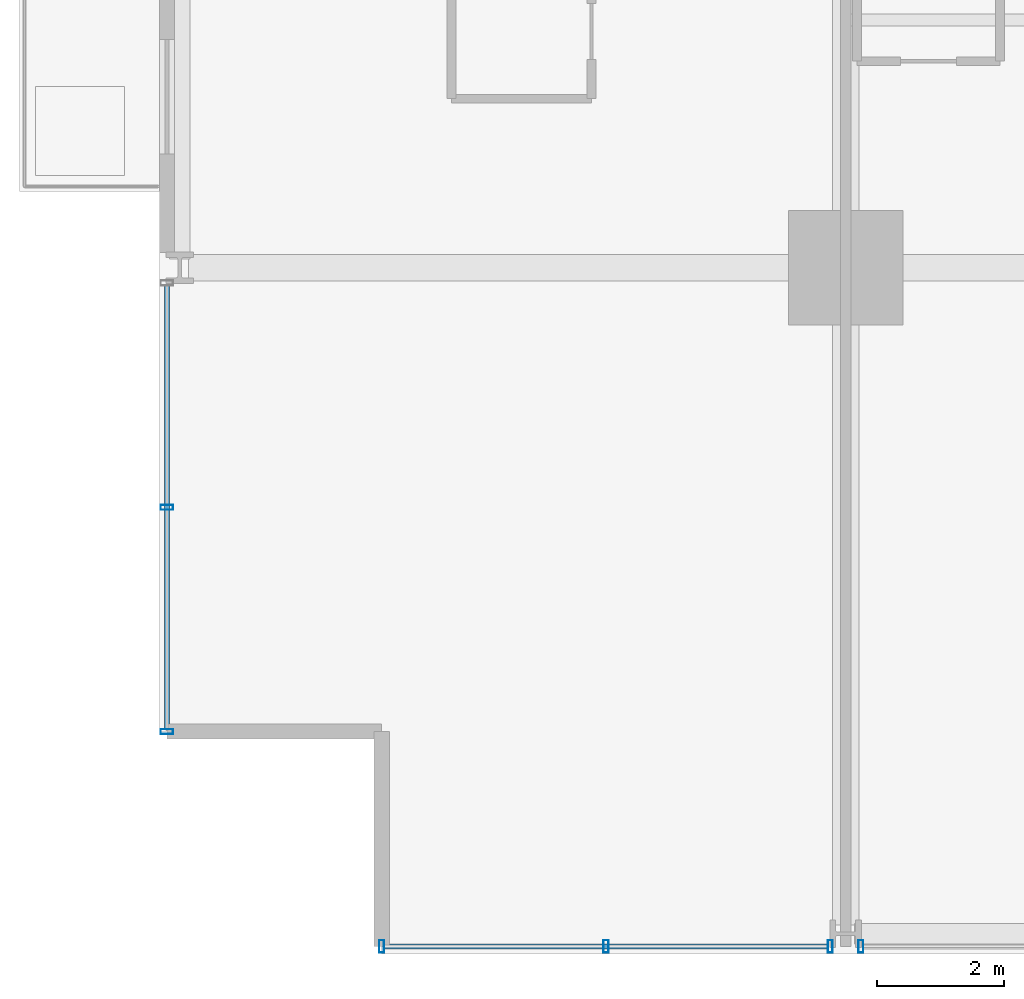
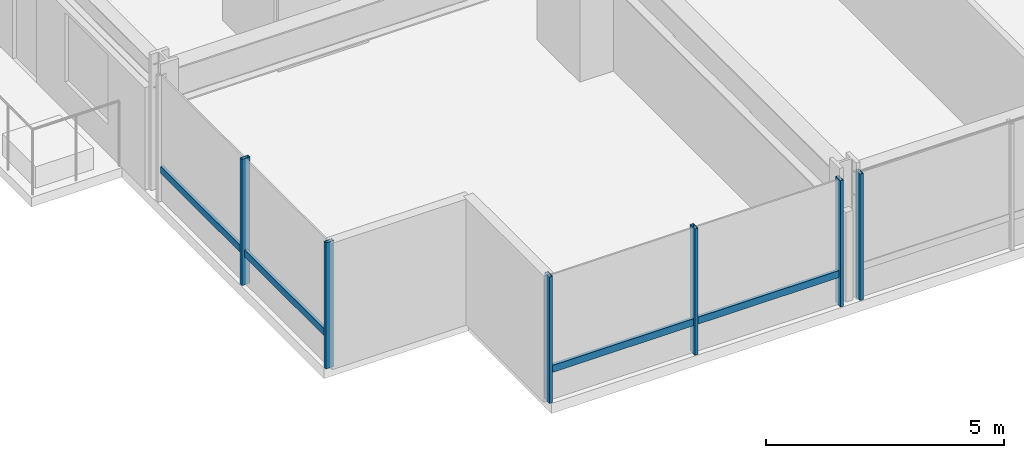
# One storey, part 2 of 38: 8 members, 3 elements without a shape of their own.
"""IFC4 building model written with IfcOpenShell, lengths in metres."""

from ifc_helpers import new_model, si_unit, direction, frame, origin, origin_2d, place, context, subcontext, project, spatial, hollow_rectangle, extrude, material, layer, layer_set, material_profile, profile_set, type_object, element, aggregate, save


model = new_model("IFC4")

# Units and contexts
model_context = context("Model", 3, precision=1e-05, world=origin(), true_north=direction((0.0, 1.0)))
body_context = subcontext(model_context, "Body", "Model", "MODEL_VIEW")
ifc_project = project(units=[si_unit("LENGTHUNIT", "METRE"), si_unit("AREAUNIT", "SQUARE_METRE"), si_unit("VOLUMEUNIT", "CUBIC_METRE"), si_unit("PLANEANGLEUNIT", "RADIAN"), si_unit("MASSUNIT", "GRAM", prefix="KILO")], contexts=[model_context])

# Site, building, storey
site_placement = place(None, origin())
site = spatial("IfcSite", under=ifc_project, at=site_placement, CompositionType="ELEMENT")
building_placement = place(site_placement, origin())
building = spatial("IfcBuilding", under=site, at=building_placement, Name="Drelvath Grand Hotel", CompositionType="ELEMENT")
storey_placement = place(building_placement, frame((0.0, 0.0, 57.699951171875)))
storey = spatial("IfcBuildingStorey", under=building, at=storey_placement, Name="L13", CompositionType="ELEMENT", Elevation=57.699951171875)

# Curtain wall, member
ifc_material = material(Name="Warm Bronze Anodised Aluminium Frame", Category="aluminium")
ifc_layer = layer(ifc_material, 0.199951171875)
ifc_layer_set = layer_set([ifc_layer], Name="Warm Bronze Anodised Aluminium Frame")
curtain_wall_type = type_object("IfcCurtainWallType", Name="Stick Curtain Wall CW-02 Warm Bronze Low-Rise", PredefinedType="NOTDEFINED", material=ifc_layer_set)
curtain_wall_1_placement = place(storey_placement, origin())
curtain_wall_1 = element("IfcCurtainWall", 1, at=curtain_wall_1_placement, inside=storey, type_object=curtain_wall_type, Name="L13 CW-02 Curtain Wall CW02-L13-WS1", PredefinedType="NOTDEFINED")
ifc_material_profile_1 = material_profile(ifc_material, hollow_rectangle(XDim=0.074951171875, YDim=0.179931640625, WallThickness=0.0048828125, at=origin_2d()), Name="HSS180X75X5")
ifc_profile_set_1 = profile_set([ifc_material_profile_1], Name="Warm Bronze Anodised Aluminium Frame")
member_type_1 = type_object("IfcMemberType", Name="Curtain Wall Horizontal Transom CW-02 HSS180X75X5", PredefinedType="USERDEFINED", material=ifc_profile_set_1)
member_1_placement = place(storey_placement, frame((-26.8798828125, 3.5400390625, 0.81005859375), z_axis=(0.0, 1.0, 0.0), x_axis=(-1.0, 0.0, 0.0)))
member_1 = element("IfcMember", 2, at=member_1_placement, type_object=member_type_1, Name="CW02-L13-WS1 Sill Transom", ObjectType="TRANSOM", PredefinedType="USERDEFINED", context=body_context, shape_type="SweptSolid", body=[
    extrude(hollow_rectangle(XDim=0.074951171875, YDim=0.179931640625, WallThickness=0.0048828125, at=origin_2d()), origin(), (0.0, 0.0, 1.0), 6.97900390625),
])

curtain_wall_2_placement = place(storey_placement, origin())
curtain_wall_2 = element("IfcCurtainWall", 3, at=curtain_wall_2_placement, inside=storey, type_object=curtain_wall_type, Name="L13 CW-02 Curtain Wall CW02-L13-SW1", PredefinedType="NOTDEFINED")
member_2_placement = place(storey_placement, frame((-16.48095703125, 0.1201171875, 0.81005859375), z_axis=(-1.0, 0.0, 0.0), x_axis=(0.0, -1.0, 0.0)))
member_2 = element("IfcMember", 4, at=member_2_placement, type_object=member_type_1, Name="CW02-L13-SW1 Sill Transom", ObjectType="TRANSOM", PredefinedType="USERDEFINED", context=body_context, shape_type="SweptSolid", body=[
    extrude(hollow_rectangle(XDim=0.074951171875, YDim=0.179931640625, WallThickness=0.0048828125, at=origin_2d()), origin(), (0.0, 0.0, 1.0), 6.97900390625),
])

# Member
ifc_material_profile_2 = material_profile(ifc_material, hollow_rectangle(XDim=0.080078125, YDim=0.199951171875, WallThickness=0.0048828125, at=origin_2d()), Name="HSS200X80X5")
ifc_profile_set_2 = profile_set([ifc_material_profile_2], Name="Warm Bronze Anodised Aluminium Frame")
member_type_2 = type_object("IfcMemberType", Name="Curtain Wall Vertical Mullion CW-02 HSS200X80X5", PredefinedType="MULLION", material=ifc_profile_set_2)
member_3_placement = place(storey_placement, frame((-26.8798828125, 3.5, 0.0), z_axis=(0.0, 0.0, 1.0), x_axis=(0.0, 1.0, 0.0)))
member_3 = element("IfcMember", 5, at=member_3_placement, type_object=member_type_2, Name="CW02-L13-WS1 Mullion 1", PredefinedType="MULLION", context=body_context, shape_type="SweptSolid", body=[
    extrude(hollow_rectangle(XDim=0.080078125, YDim=0.199951171875, WallThickness=0.0048828125, at=origin_2d()), origin(), (0.0, 0.0, 1.0), 3.239990234375),
])

member_4_placement = place(storey_placement, frame((-26.8798828125, 7.029541015625, 0.0), z_axis=(0.0, 0.0, 1.0), x_axis=(0.0, 1.0, 0.0)))
member_4 = element("IfcMember", 6, at=member_4_placement, type_object=member_type_2, Name="CW02-L13-WS1 Mullion 2", PredefinedType="MULLION", context=body_context, shape_type="SweptSolid", body=[
    extrude(hollow_rectangle(XDim=0.080078125, YDim=0.199951171875, WallThickness=0.0048828125, at=origin_2d()), origin(), (0.0, 0.0, 1.0), 3.239990234375),
])

aggregate(curtain_wall_1, [member_3, member_4, member_1])

member_5_placement = place(storey_placement, frame((-16.44091796875, 0.1201171875, 0.0), z_axis=(0.0, 0.0, 1.0), x_axis=(1.0, 0.0, 0.0)))
member_5 = element("IfcMember", 7, at=member_5_placement, type_object=member_type_2, Name="CW02-L13-SW1 Mullion 1", PredefinedType="MULLION", context=body_context, shape_type="SweptSolid", body=[
    extrude(hollow_rectangle(XDim=0.080078125, YDim=0.199951171875, WallThickness=0.0048828125, at=origin_2d()), origin(), (0.0, 0.0, 1.0), 3.239990234375),
])

member_6_placement = place(storey_placement, frame((-19.970458984375, 0.1201171875, 0.0), z_axis=(0.0, 0.0, 1.0), x_axis=(1.0, 0.0, 0.0)))
member_6 = element("IfcMember", 8, at=member_6_placement, type_object=member_type_2, Name="CW02-L13-SW1 Mullion 2", PredefinedType="MULLION", context=body_context, shape_type="SweptSolid", body=[
    extrude(hollow_rectangle(XDim=0.080078125, YDim=0.199951171875, WallThickness=0.0048828125, at=origin_2d()), origin(), (0.0, 0.0, 1.0), 3.239990234375),
])

member_7_placement = place(storey_placement, frame((-23.5, 0.1201171875, 0.0), z_axis=(0.0, 0.0, 1.0), x_axis=(1.0, 0.0, 0.0)))
member_7 = element("IfcMember", 9, at=member_7_placement, type_object=member_type_2, Name="CW02-L13-SW1 Mullion 3", PredefinedType="MULLION", context=body_context, shape_type="SweptSolid", body=[
    extrude(hollow_rectangle(XDim=0.080078125, YDim=0.199951171875, WallThickness=0.0048828125, at=origin_2d()), origin(), (0.0, 0.0, 1.0), 3.239990234375),
])

aggregate(curtain_wall_2, [member_5, member_6, member_7, member_2])

# Curtain wall, member
curtain_wall_3_placement = place(storey_placement, origin())
curtain_wall_3 = element("IfcCurtainWall", 10, at=curtain_wall_3_placement, inside=storey, type_object=curtain_wall_type, Name="L13 CW-02 Curtain Wall CW02-L13-SW2", PredefinedType="NOTDEFINED")
member_8_placement = place(storey_placement, frame((-15.958984375, 0.1201171875, 0.0), z_axis=(0.0, 0.0, 1.0), x_axis=(1.0, 0.0, 0.0)))
member_8 = element("IfcMember", 11, at=member_8_placement, type_object=member_type_2, Name="CW02-L13-SW2 Mullion 3", PredefinedType="MULLION", context=body_context, shape_type="SweptSolid", body=[
    extrude(hollow_rectangle(XDim=0.080078125, YDim=0.199951171875, WallThickness=0.0048828125, at=origin_2d()), origin(), (0.0, 0.0, 1.0), 3.239990234375),
])
aggregate(curtain_wall_3, [member_8])

save(model, "model.ifc")
